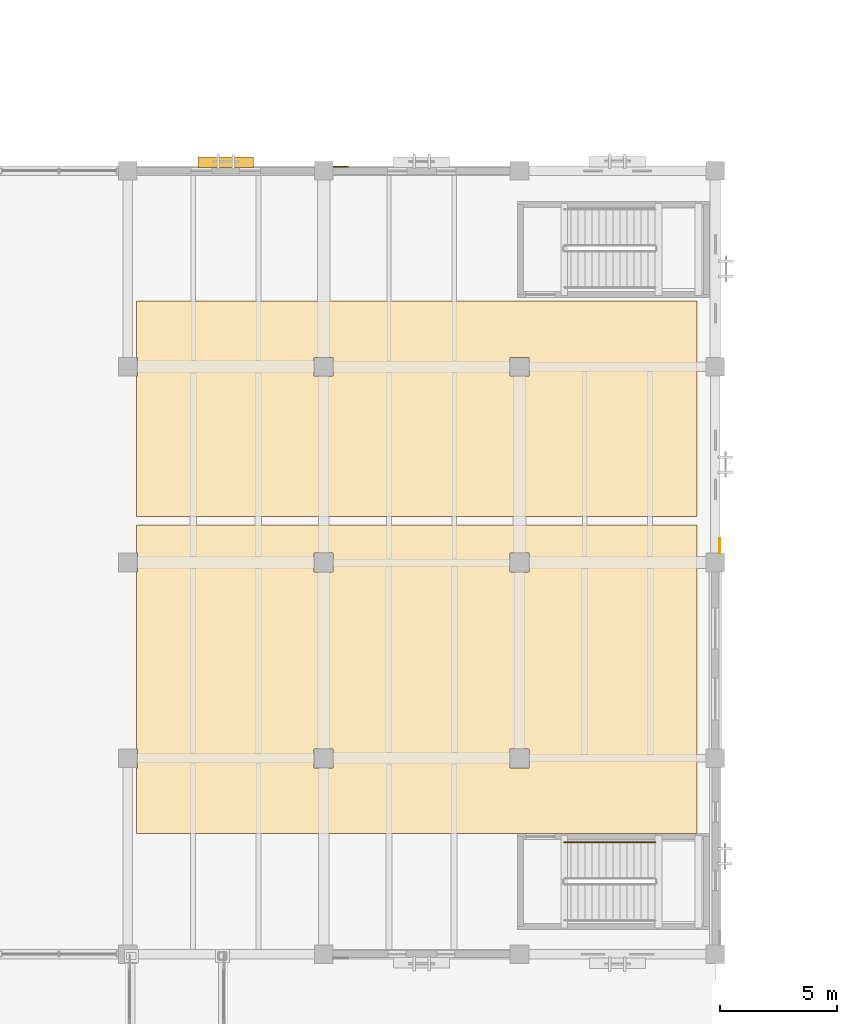
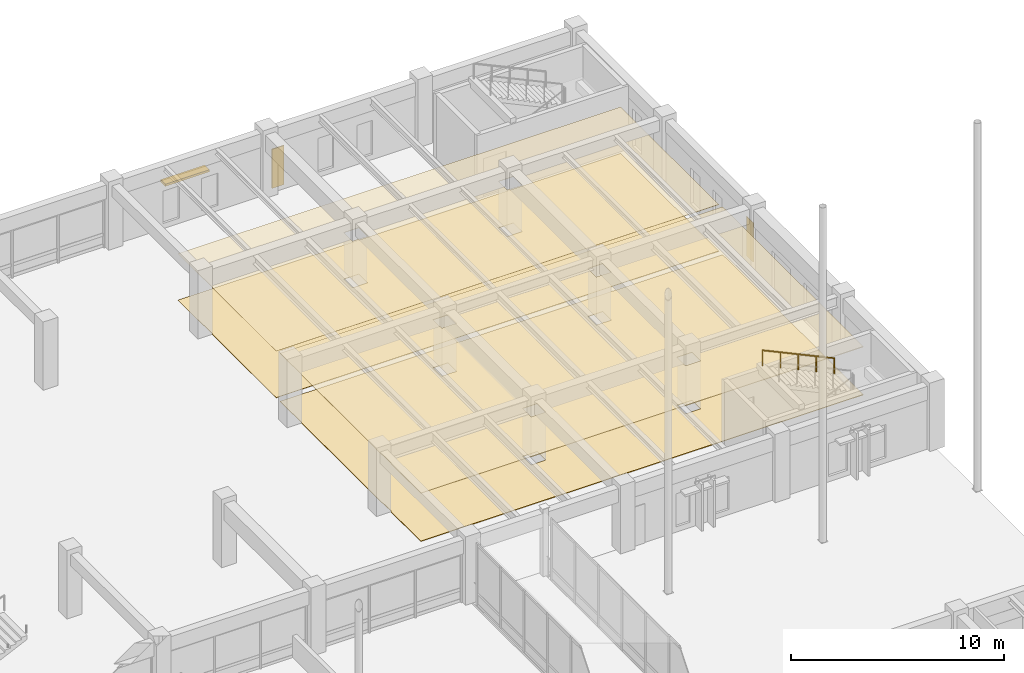
# One storey, part 134 of 135: 6 coverings, 1 railing, 1 shading device.
"""IFC4 building model written with IfcOpenShell, lengths in metres."""

import ifcopenshell
import ifcopenshell.guid

model = None  # the IFC model being written
_history = None  # IfcOwnerHistory: only IFC2X3 demands one
_inside = {}  # id of a spatial element -> (the spatial element, [elements in it])
_under = {}  # id of a project, library or spatial element -> (it, [spatial elements below it])
_declared = {}  # id of a project -> (the project, [libraries it declares])
_typed = {}  # id of a type object -> (the type object, [elements of that type])
_made_of = {}  # id of a material, layer set ... -> (it, [elements and type objects made of it])


def new_model(schema):
    """Start an empty IFC model of exactly this schema.

    Asked for "IFC4X3", IfcOpenShell would pick the latest addendum, in which some entities
    have other attributes; the version numbers below select the first issue.
    IFC2X3 requires an IfcOwnerHistory on every rooted entity: one is made here for all.
    """
    global model, _history
    if schema == "IFC4X3":
        model = ifcopenshell.file(schema_version=(4, 3, 0, 0))
    else:
        model = ifcopenshell.file(schema=schema)
    _inside.clear()
    _under.clear()
    _declared.clear()
    _typed.clear()
    _made_of.clear()
    _history = None
    if model.schema == "IFC2X3":
        org = make("IfcOrganization", Name="unknown")
        user = make(
            "IfcPersonAndOrganization",
            ThePerson=make("IfcPerson", FamilyName="unknown"),
            TheOrganization=org,
        )
        app = make(
            "IfcApplication",
            ApplicationDeveloper=org,
            Version="unknown",
            ApplicationFullName="unknown",
            ApplicationIdentifier="unknown",
        )
        _history = make(
            "IfcOwnerHistory",
            OwningUser=user,
            OwningApplication=app,
            ChangeAction="ADDED",
            CreationDate=0,
        )
    return model


def make(cls, **values):
    """One entity of the class cls with the attributes given. An attribute that is None is left unset."""
    return model.create_entity(
        cls, **{name: value for name, value in values.items() if value is not None}
    )


def rooted(cls, **values):
    """An entity with a GlobalId (a new one), such as an element, a storey or a relation."""
    return make(cls, GlobalId=ifcopenshell.guid.new(), OwnerHistory=_history, **values)


def si_unit(unit_type, name, prefix=None):
    """IfcSIUnit, for example si_unit("LENGTHUNIT", "METRE", prefix="MILLI")."""
    return make("IfcSIUnit", UnitType=unit_type, Prefix=prefix, Name=name)


def assignment(units):
    """IfcUnitAssignment: the units of a project."""
    return None if units is None else make("IfcUnitAssignment", Units=units)


def point(xyz):
    """IfcCartesianPoint."""
    return None if xyz is None else make("IfcCartesianPoint", Coordinates=xyz)


def direction(xyz):
    """IfcDirection."""
    return None if xyz is None else make("IfcDirection", DirectionRatios=xyz)


def frame(location, z_axis=None, x_axis=None):
    """IfcAxis2Placement3D, a coordinate frame: its origin and axes. An axis left out is left unset."""
    return make(
        "IfcAxis2Placement3D",
        Location=point(location),
        Axis=direction(z_axis),
        RefDirection=direction(x_axis),
    )


def frame_2d(location, x_axis=None):
    """IfcAxis2Placement2D, a coordinate frame in the plane: its origin and x axis."""
    return make(
        "IfcAxis2Placement2D", Location=point(location), RefDirection=direction(x_axis)
    )


def origin():
    """The frame at (0, 0, 0) with its axes left unset."""
    return frame((0.0, 0.0, 0.0))


def origin_2d():
    """The frame at (0, 0) in the plane with its x axis left unset."""
    return frame_2d((0.0, 0.0))


def place(relative_to, where):
    """IfcLocalPlacement: puts the frame where relative to a parent placement (None: the world)."""
    return make(
        "IfcLocalPlacement", PlacementRelTo=relative_to, RelativePlacement=where
    )


def context(
    kind, dimensions, precision=None, world=None, true_north=None, identifier=None
):
    """IfcGeometricRepresentationContext, for example the 3D "Model" context."""
    return make(
        "IfcGeometricRepresentationContext",
        ContextIdentifier=identifier,
        ContextType=kind,
        CoordinateSpaceDimension=dimensions,
        Precision=precision,
        WorldCoordinateSystem=world,
        TrueNorth=true_north,
    )


def subcontext(parent, identifier, kind, view, scale=None):
    """IfcGeometricRepresentationSubContext, for example "Body" below "Model"."""
    return make(
        "IfcGeometricRepresentationSubContext",
        ContextIdentifier=identifier,
        ContextType=kind,
        ParentContext=parent,
        TargetScale=scale,
        TargetView=view,
    )


def project(units=None, contexts=None):
    """IfcProject with its units and contexts."""
    return rooted(
        "IfcProject",
        Name="project",
        RepresentationContexts=contexts,
        UnitsInContext=assignment(units),
    )


def spatial(cls, under=None, at=None, **own):
    """A site, building, storey or space (cls), placed at a placement, below another one or the project."""
    s = rooted(cls, ObjectPlacement=at, **own)
    if under is not None:
        _under.setdefault(under.id(), (under, []))[1].append(s)
    return s


def polyline(points):
    """IfcPolyline through the points."""
    return make("IfcPolyline", Points=[point(p) for p in points])


def profile(cls, at=None, kind="AREA", **sizes):
    """A parametric profile (cls). Its sizes go by their IFC names, for example OverallWidth=200.0."""
    return make(cls, ProfileType=kind, Position=at, **sizes)


def rectangle(**sizes):
    """IfcRectangleProfileDef."""
    return profile("IfcRectangleProfileDef", **sizes)


def circle(**sizes):
    """IfcCircleProfileDef."""
    return profile("IfcCircleProfileDef", **sizes)


def outline(outer, holes=None, kind="AREA"):
    """IfcArbitraryClosedProfileDef: a profile drawn as a closed curve; with holes, ...WithVoids."""
    if holes is None:
        return make("IfcArbitraryClosedProfileDef", ProfileType=kind, OuterCurve=outer)
    return make(
        "IfcArbitraryProfileDefWithVoids",
        ProfileType=kind,
        OuterCurve=outer,
        InnerCurves=holes,
    )


def extrude(swept, where, along, depth):
    """IfcExtrudedAreaSolid: the profile swept, set in the frame where, extruded along a direction by depth."""
    return make(
        "IfcExtrudedAreaSolid",
        SweptArea=swept,
        Position=where,
        ExtrudedDirection=direction(along),
        Depth=depth,
    )


def shape(context_of_items, identifier, shape_type, items):
    """IfcShapeRepresentation: the items that make up one representation, for example the "Body"."""
    return make(
        "IfcShapeRepresentation",
        ContextOfItems=context_of_items,
        RepresentationIdentifier=identifier,
        RepresentationType=shape_type,
        Items=items,
    )


def material(Name=None, Category=None):
    """IfcMaterial."""
    return make("IfcMaterial", Name=Name, Category=Category)


def layer(
    of_material, thickness, ventilated=None, Name=None, Category=None, Priority=None
):
    """IfcMaterialLayer: one layer of a wall or slab, of a material (None: an air gap)."""
    return make(
        "IfcMaterialLayer",
        Material=of_material,
        LayerThickness=thickness,
        IsVentilated=ventilated,
        Name=Name,
        Category=Category,
        Priority=Priority,
    )


def layer_set(layers, Name=None):
    """IfcMaterialLayerSet."""
    return make("IfcMaterialLayerSet", MaterialLayers=layers, LayerSetName=Name)


def made_of(thing, what):
    """Note that an element or type object is made of a material, layer set ...; save() writes the relation."""
    if what is not None:
        _made_of.setdefault(what.id(), (what, []))[1].append(thing)
    return thing


def type_object(cls, material=None, **own):
    """A type object (cls), such as IfcWallType, which elements share."""
    return made_of(rooted(cls, **own), material)


def element(
    cls,
    number,
    at=None,
    inside=None,
    cuts=None,
    type_object=None,
    material=None,
    context=None,
    identifier="Body",
    shape_type=None,
    held_by="IfcProductDefinitionShape",
    body=None,
    shapes=None,
    **own,
):
    """One element of the class cls, such as IfcWall. Its Tag is "e" and its number.

    at: its placement. inside: the storey or other place that contains it. cuts: it is an
    opening in that element (IfcRelVoidsElement). A single representation is given by context,
    identifier, shape_type and body (its items); several are given by shapes. held_by: the class
    of the entity that holds the representations. save() writes the other relations.
    """
    e = rooted(cls, Tag="e%d" % number, ObjectPlacement=at, **own)
    if body is not None:
        shapes = [shape(context, identifier, shape_type, body)]
    if shapes is not None:
        e.Representation = make(held_by, Representations=shapes)
    if inside is not None:
        _inside.setdefault(inside.id(), (inside, []))[1].append(e)
    if cuts is not None:
        rooted(
            "IfcRelVoidsElement", RelatingBuildingElement=cuts, RelatedOpeningElement=e
        )
    if type_object is not None:
        _typed.setdefault(type_object.id(), (type_object, []))[1].append(e)
    return made_of(e, material)


def aggregate(whole, parts):
    """IfcRelAggregates: a whole, such as a stair, and the parts it consists of."""
    return rooted("IfcRelAggregates", RelatingObject=whole, RelatedObjects=parts)


def save(model, path):
    """Write the relations noted so far, then the file.

    IfcRelAggregates (storeys below a building ...), IfcRelContainedInSpatialStructure (elements
    in a storey), IfcRelDefinesByType, IfcRelAssociatesMaterial and IfcRelDeclares: one each for
    every whole, place, type object, material and project.
    """
    for whole, parts in _under.values():
        aggregate(whole, parts)
    for where, things in _inside.values():
        rooted(
            "IfcRelContainedInSpatialStructure",
            RelatedElements=things,
            RelatingStructure=where,
        )
    for kind, things in _typed.values():
        rooted("IfcRelDefinesByType", RelatedObjects=things, RelatingType=kind)
    for what, things in _made_of.values():
        rooted("IfcRelAssociatesMaterial", RelatedObjects=things, RelatingMaterial=what)
    for by, libraries in _declared.values():
        rooted("IfcRelDeclares", RelatingContext=by, RelatedDefinitions=libraries)
    model.write(path)


model = new_model("IFC4")

# Units and contexts
model_context = context("Model", 3, precision=1e-05, world=origin(), true_north=direction((0.0, 1.0)))
body_context = subcontext(model_context, "Body", "Model", "MODEL_VIEW")
ifc_project = project(units=[si_unit("LENGTHUNIT", "METRE"), si_unit("AREAUNIT", "SQUARE_METRE"), si_unit("VOLUMEUNIT", "CUBIC_METRE"), si_unit("PLANEANGLEUNIT", "RADIAN"), si_unit("MASSUNIT", "GRAM", prefix="KILO")], contexts=[model_context])

# Site, building, storey
site_placement = place(None, origin())
site = spatial("IfcSite", under=ifc_project, at=site_placement, CompositionType="ELEMENT")
building_placement = place(site_placement, origin())
building = spatial("IfcBuilding", under=site, at=building_placement, Name="Cumbredor Promenade Congress Hotel", CompositionType="ELEMENT")
storey_placement = place(building_placement, origin())
storey = spatial("IfcBuildingStorey", under=building, at=storey_placement, Name="L00", CompositionType="ELEMENT", Elevation=0.0)

# Coverings
ifc_material_1 = material(Name="Acoustic mineral-fiber and gypsum ceiling")
ifc_layer_1 = layer(ifc_material_1, 0.01806640625, Name="Acoustic mineral-fiber and gypsum ceiling")
ifc_layer_set_1 = layer_set([ifc_layer_1], Name="Acoustic mineral-fiber and gypsum ceiling")
covering_type_1 = type_object("IfcCoveringType", Name="Acoustic Perforated Gypsum Ceiling CLG-01 18mm", PredefinedType="CEILING", material=ifc_layer_set_1)
covering_1_placement = place(storey_placement, frame((0.0, 0.0, 2.673095703125)))
element("IfcCovering", 1, at=covering_1_placement, inside=storey, type_object=covering_type_1, Name="East Summit Seminar Hall B Acoustic Ceiling", PredefinedType="CEILING", context=body_context, shape_type="SweptSolid", body=[
    extrude(outline(polyline([(151.60498046875, 109.60498046875), (151.580078125, 109.60498046875), (151.580078125, 112.02001953125), (175.6201171875, 112.02001953125), (175.6201171875, 102.780029296875), (151.580078125, 102.780029296875), (151.580078125, 108.794921875), (151.60498046875, 108.794921875), (151.60498046875, 109.60498046875)]), holes=[polyline([(159.195068359375, 109.60498046875), (159.195068359375, 108.794921875), (160.0048828125, 108.794921875), (160.0048828125, 109.60498046875), (159.195068359375, 109.60498046875)]), polyline([(168.405029296875, 109.60498046875), (167.594970703125, 109.60498046875), (167.594970703125, 108.794921875), (168.405029296875, 108.794921875), (168.405029296875, 109.60498046875)])]), origin(), (0.0, 0.0, 1.0), 0.017822265625),
])
ifc_layer_2 = layer(ifc_material_1, 0.031982421875, Name="Acoustic mineral-fiber and gypsum ceiling")
ifc_layer_set_2 = layer_set([ifc_layer_2], Name="Acoustic mineral-fiber and gypsum ceiling")
covering_type_2 = type_object("IfcCoveringType", Name="Acoustic Perforated Gypsum Ceiling CLG-04 32mm", PredefinedType="CEILING", material=ifc_layer_set_2)
covering_2_placement = place(storey_placement, frame((0.0, 0.0, 2.75390625)))
element("IfcCovering", 2, at=covering_2_placement, inside=storey, type_object=covering_type_2, Name="East Summit Seminar Hall A Acoustic Ceiling", PredefinedType="CEILING", context=body_context, shape_type="SweptSolid", body=[
    extrude(outline(polyline([(151.60498046875, 100.39501953125), (151.60498046875, 101.205078125), (151.580078125, 101.205078125), (151.580078125, 102.419921875), (175.6201171875, 102.419921875), (175.6201171875, 89.179931640625), (151.580078125, 89.179931640625), (151.580078125, 91.9951171875), (151.60498046875, 91.9951171875), (151.60498046875, 92.804931640625), (151.580078125, 92.804931640625), (151.580078125, 100.39501953125), (151.60498046875, 100.39501953125)]), holes=[polyline([(160.0048828125, 91.9951171875), (160.0048828125, 92.804931640625), (159.195068359375, 92.804931640625), (159.195068359375, 91.9951171875), (160.0048828125, 91.9951171875)]), polyline([(159.195068359375, 100.39501953125), (160.0048828125, 100.39501953125), (160.0048828125, 101.205078125), (159.195068359375, 101.205078125), (159.195068359375, 100.39501953125)]), polyline([(167.594970703125, 92.804931640625), (167.594970703125, 91.9951171875), (168.405029296875, 91.9951171875), (168.405029296875, 92.804931640625), (167.594970703125, 92.804931640625)]), polyline([(168.405029296875, 101.205078125), (167.594970703125, 101.205078125), (167.594970703125, 100.39501953125), (168.405029296875, 100.39501953125), (168.405029296875, 101.205078125)])]), origin(), (0.0, 0.0, 1.0), 0.031982421875),
])
ifc_material_2 = material(Name="Precast concrete C40/50", Category="concrete")
ifc_layer_3 = layer(ifc_material_2, 0.044921875, Name="Precast concrete C40/50", Category="concrete")
ifc_layer_set_3 = layer_set([ifc_layer_3], Name="Precast concrete C40/50")
covering_type_3 = type_object("IfcCoveringType", Name="Board-Formed Architectural Cladding Panel 45mm", PredefinedType="CLADDING", material=ifc_layer_set_3)
covering_3_placement = place(storey_placement, origin())
element("IfcCovering", 3, at=covering_3_placement, inside=storey, type_object=covering_type_3, Name="L00 Facade Stone Cladding Pier 030", PredefinedType="CLADDING", context=body_context, shape_type="SweptSolid", body=[
    extrude(outline(polyline([(160.0009765625, 117.75), (160.65087890625, 117.75), (160.65087890625, 117.794921875), (160.0009765625, 117.794921875), (160.0009765625, 117.75)])), origin(), (0.0, 0.0, 1.0), 2.25),
])

# Shading device
ifc_material_3 = material(Name="Thermally broken anodized aluminium", Category="aluminium")
shading_device_type = type_object("IfcShadingDeviceType", Name="Horizontal Bronze Jalousie Louvre JAL-01", PredefinedType="JALOUSIE", material=ifc_material_3)
shading_device_placement = place(storey_placement, frame((155.39990234375, 117.965087890625, 2.159912109375), z_axis=(0.0, 0.0, 1.0), x_axis=(1.0, 0.0, 0.0)))
element("IfcShadingDevice", 4, at=shading_device_placement, inside=storey, type_object=shading_device_type, Name="L00 Horizontal Bronze Jalousie 019", PredefinedType="JALOUSIE", context=body_context, shape_type="SweptSolid", body=[
    extrude(rectangle(XDim=2.39990234375, YDim=0.449951171875, at=origin_2d()), origin(), (0.0, 0.0, 1.0), 0.1201171875),
])

# Coverings
ifc_material_4 = material(Name="Porcelain stoneware tile", Category="masonry")
ifc_layer_4 = layer(ifc_material_4, 0.02001953125, Name="Porcelain stoneware tile", Category="masonry")
ifc_layer_set_4 = layer_set([ifc_layer_4], Name="Porcelain stoneware tile")
covering_type_4 = type_object("IfcCoveringType", Name="Porcelain Stoneware Flooring FLR-01 20mm", PredefinedType="FLOORING", material=ifc_layer_set_4)
covering_4_placement = place(storey_placement, origin())
element("IfcCovering", 5, at=covering_4_placement, inside=storey, type_object=covering_type_4, Name="East Summit Seminar Hall B Porcelain Flooring", PredefinedType="FLOORING", context=body_context, shape_type="SweptSolid", body=[
    extrude(outline(polyline([(151.60498046875, 109.60498046875), (151.580078125, 109.60498046875), (151.580078125, 112.02001953125), (175.6201171875, 112.02001953125), (175.6201171875, 102.780029296875), (151.580078125, 102.780029296875), (151.580078125, 108.794921875), (151.60498046875, 108.794921875), (151.60498046875, 109.60498046875)]), holes=[polyline([(159.195068359375, 109.60498046875), (159.195068359375, 108.794921875), (160.0048828125, 108.794921875), (160.0048828125, 109.60498046875), (159.195068359375, 109.60498046875)]), polyline([(168.405029296875, 109.60498046875), (167.594970703125, 109.60498046875), (167.594970703125, 108.794921875), (168.405029296875, 108.794921875), (168.405029296875, 109.60498046875)])]), origin(), (0.0, 0.0, 1.0), 0.02001953125),
])
ifc_layer_5 = layer(ifc_material_4, 0.030029296875, Name="Porcelain stoneware tile", Category="masonry")
ifc_layer_set_5 = layer_set([ifc_layer_5], Name="Porcelain stoneware tile")
covering_type_5 = type_object("IfcCoveringType", Name="Porcelain Stoneware Flooring FLR-03 30mm", PredefinedType="FLOORING", material=ifc_layer_set_5)
covering_5_placement = place(storey_placement, origin())
element("IfcCovering", 6, at=covering_5_placement, inside=storey, type_object=covering_type_5, Name="East Summit Seminar Hall A Porcelain Flooring", PredefinedType="FLOORING", context=body_context, shape_type="SweptSolid", body=[
    extrude(outline(polyline([(151.60498046875, 100.39501953125), (151.60498046875, 101.205078125), (151.580078125, 101.205078125), (151.580078125, 102.419921875), (175.6201171875, 102.419921875), (175.6201171875, 89.179931640625), (151.580078125, 89.179931640625), (151.580078125, 91.9951171875), (151.60498046875, 91.9951171875), (151.60498046875, 92.804931640625), (151.580078125, 92.804931640625), (151.580078125, 100.39501953125), (151.60498046875, 100.39501953125)]), holes=[polyline([(160.0048828125, 91.9951171875), (160.0048828125, 92.804931640625), (159.195068359375, 92.804931640625), (159.195068359375, 91.9951171875), (160.0048828125, 91.9951171875)]), polyline([(159.195068359375, 100.39501953125), (160.0048828125, 100.39501953125), (160.0048828125, 101.205078125), (159.195068359375, 101.205078125), (159.195068359375, 100.39501953125)]), polyline([(167.594970703125, 92.804931640625), (167.594970703125, 91.9951171875), (168.405029296875, 91.9951171875), (168.405029296875, 92.804931640625), (167.594970703125, 92.804931640625)]), polyline([(168.405029296875, 101.205078125), (167.594970703125, 101.205078125), (167.594970703125, 100.39501953125), (168.405029296875, 100.39501953125), (168.405029296875, 101.205078125)])]), origin(), (0.0, 0.0, 1.0), 0.030029296875),
])

# Railing
ifc_material_5 = material(Name="Brushed stainless steel", Category="steel")
railing_type = type_object("IfcRailingType", Name="Stair Pitch Handrail HR-900", PredefinedType="HANDRAIL", material=ifc_material_5)
railing_placement = place(storey_placement, frame((173.820068359375, 88.800048828125, 2.10009765625)))
element("IfcRailing", 7, at=railing_placement, inside=storey, type_object=railing_type, Name="L00 ST-14 stair handrail 2", PredefinedType="HANDRAIL", context=body_context, shape_type="SweptSolid", body=[
    extrude(circle(Radius=0.02392578125, at=origin_2d()), frame((0.0, 0.0, 0.8759765625), z_axis=(-0.906204877032, 0.0, 0.422838882842), x_axis=(0.0, -1.0, 0.0)), (0.0, 0.0, 1.0), 4.3037109375),
    extrude(circle(Radius=0.02099609375, at=origin_2d()), origin(), (0.0, 0.0, 1.0), 0.851806640625),
    extrude(circle(Radius=0.02099609375, at=origin_2d()), frame((-0.97509765625, 0.0, 0.455078125)), (0.0, 0.0, 1.0), 0.851806640625),
    extrude(circle(Radius=0.02099609375, at=origin_2d()), frame((-1.9501953125, 0.0, 0.909912109375)), (0.0, 0.0, 1.0), 0.851806640625),
    extrude(circle(Radius=0.02099609375, at=origin_2d()), frame((-2.925048828125, 0.0, 1.36474609375)), (0.0, 0.0, 1.0), 0.851806640625),
    extrude(circle(Radius=0.02099609375, at=origin_2d()), frame((-3.900146484375, 0.0, 1.81982421875)), (0.0, 0.0, 1.0), 0.851806640625),
])

# Covering
ifc_material_6 = material(Name="Volcanic andesite ashlar cladding", Category="masonry")
ifc_layer_6 = layer(ifc_material_6, 0.034912109375, Name="Volcanic andesite ashlar cladding", Category="masonry")
ifc_layer_set_6 = layer_set([ifc_layer_6], Name="Volcanic andesite ashlar cladding")
covering_type_6 = type_object("IfcCoveringType", Name="Volcanic Andesite Ashlar Rainscreen Cladding 35mm", PredefinedType="CLADDING", material=ifc_layer_set_6)
covering_6_placement = place(storey_placement, origin())
element("IfcCovering", 8, at=covering_6_placement, inside=storey, type_object=covering_type_6, Name="L00 Facade Stone Cladding Pier 033", PredefinedType="CLADDING", context=body_context, shape_type="SweptSolid", body=[
    extrude(outline(polyline([(176.574951171875, 101.200927734375), (176.574951171875, 101.85107421875), (176.610107421875, 101.85107421875), (176.610107421875, 101.200927734375), (176.574951171875, 101.200927734375)])), origin(), (0.0, 0.0, 1.0), 2.25),
])

save(model, "model.ifc")
